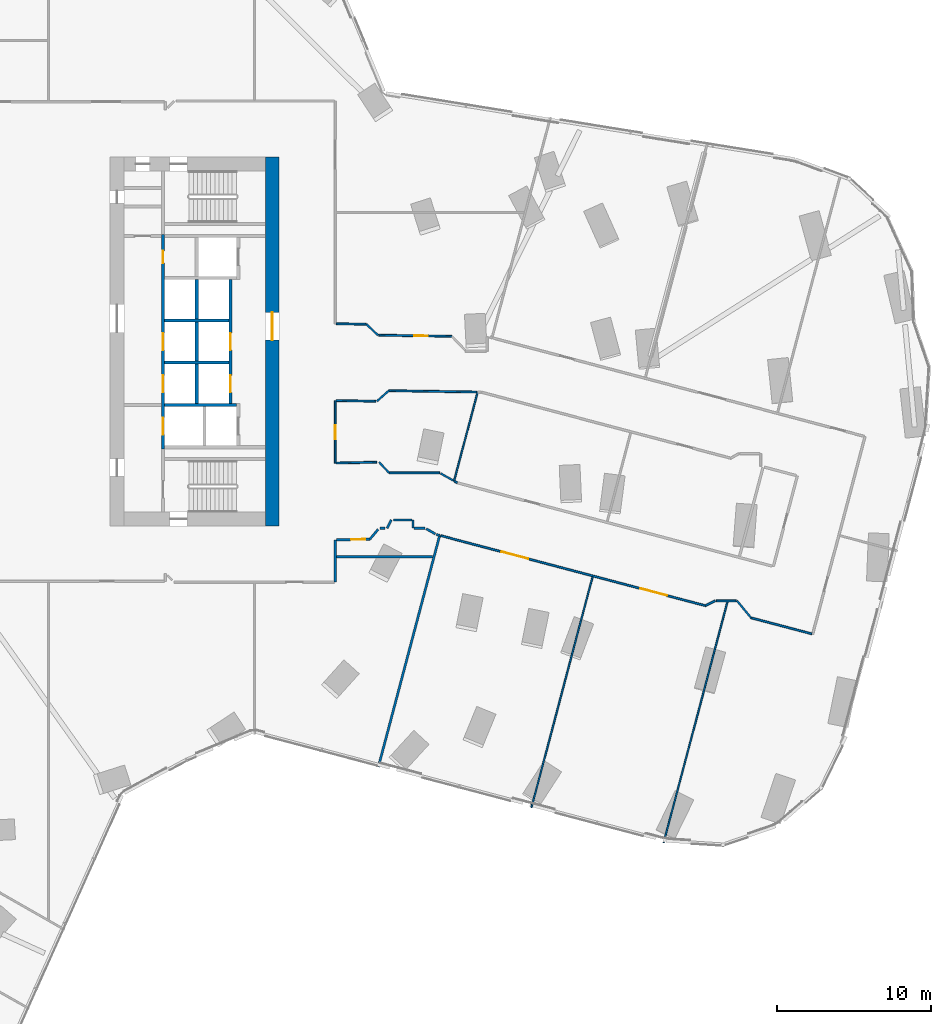
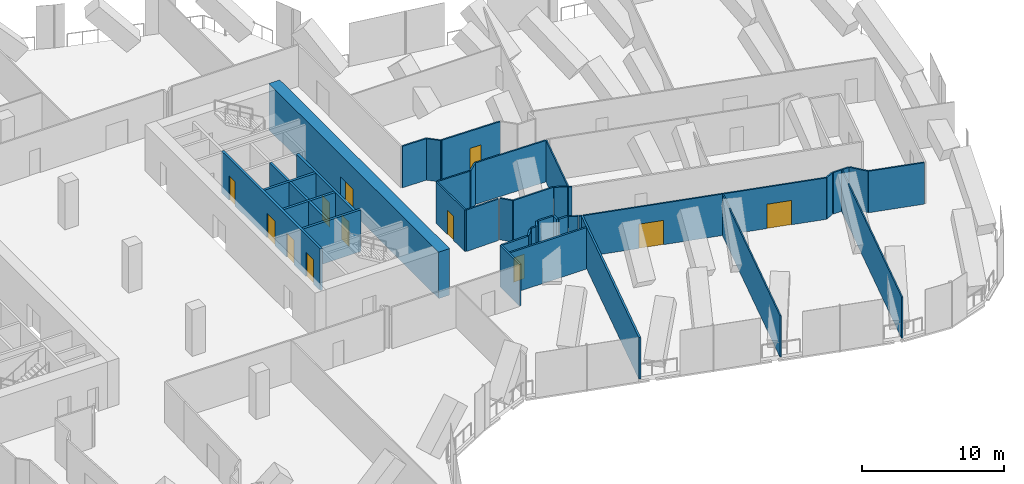
# One storey, part 30 of 37: 41 walls, 12 doors, 12 openings.
"""IFC4 building model written with IfcOpenShell, lengths in metres."""

from ifc_helpers import new_model, si_unit, direction, frame, frame_2d, origin, place, context, subcontext, project, spatial, rectangle, extrude, material, layer, layer_set, type_object, element, fill, save


model = new_model("IFC4")

# Units and contexts
model_context = context("Model", 3, precision=1e-05, world=origin(), true_north=direction((0.0, 1.0)))
body_context = subcontext(model_context, "Body", "Model", "MODEL_VIEW")
ifc_project = project(units=[si_unit("LENGTHUNIT", "METRE"), si_unit("AREAUNIT", "SQUARE_METRE"), si_unit("VOLUMEUNIT", "CUBIC_METRE"), si_unit("PLANEANGLEUNIT", "RADIAN"), si_unit("MASSUNIT", "GRAM", prefix="KILO")], contexts=[model_context])

# Site, building, storey
site_placement = place(None, origin())
site = spatial("IfcSite", under=ifc_project, at=site_placement, CompositionType="ELEMENT")
building_placement = place(site_placement, origin())
building = spatial("IfcBuilding", under=site, at=building_placement, Name="Orlundy Tower", CompositionType="ELEMENT")
storey_placement = place(building_placement, frame((0.0, 0.0, 119.699951171875)))
storey = spatial("IfcBuildingStorey", under=building, at=storey_placement, Name="L30", CompositionType="ELEMENT", Elevation=119.699951171875)

# Wall, opening, door
ifc_material_1 = material(Name="Concrete C80/95", Category="concrete")
ifc_layer_1 = layer(ifc_material_1, 0.89990234375)
ifc_layer_set_1 = layer_set([ifc_layer_1], Name="CORE WALL 900 C80/95")
wall_type_1 = type_object("IfcWallType", Name="CORE WALL 900 C80/95", PredefinedType="SHEAR", material=ifc_layer_set_1)
wall_1_placement = place(storey_placement, frame((18.550048828125, -12.0, 0.0), z_axis=(0.0, 0.0, 1.0), x_axis=(0.0, 1.0, 0.0)))
wall_1 = element("IfcWall", 1, at=wall_1_placement, inside=storey, type_object=wall_type_1, Name="Core wall E-E L30", PredefinedType="SHEAR", context=body_context, shape_type="SweptSolid", body=[
    extrude(rectangle(XDim=24.0, YDim=0.89990234375, at=frame_2d((12.0, 0.0))), origin(), (0.0, 0.0, 1.0), 4.0),
])
opening_1_placement = place(wall_1_placement, frame((12.10009765625, 0.0, 0.0)))
opening_1 = element("IfcOpeningElement", 2, at=opening_1_placement, cuts=wall_1, Name="Opening 23059", PredefinedType="OPENING", context=body_context, shape_type="SweptSolid", body=[
    extrude(rectangle(XDim=1.800048828125, YDim=2.10009765625, at=frame_2d((0.89990234375, 1.050048828125))), frame((0.0, 0.4599609375, 0.0), z_axis=(0.0, -1.0, 0.0), x_axis=(1.0, 0.0, 0.0)), (0.0, 0.0, 1.0), 0.919921875),
])
ifc_material_2 = material(Name="Timber door set", Category="wood")
door_type_1 = type_object("IfcDoorType", Name="Lobby Door 1800x2100", OperationType="DOUBLE_DOOR_DOUBLE_SWING", PredefinedType="DOOR", material=ifc_material_2)
door_1_placement = place(opening_1_placement, origin())
door_1 = element("IfcDoor", 3, at=door_1_placement, inside=storey, type_object=door_type_1, Name="Lift lobby door 23059", OperationType="SINGLE_SWING_RIGHT", OverallHeight=2.10009765625, OverallWidth=1.800048828125, PredefinedType="DOOR", context=body_context, shape_type="SweptSolid", body=[
    extrude(rectangle(XDim=1.800048828125, YDim=2.10009765625, at=frame_2d((0.89990234375, 1.050048828125))), frame((0.0, 0.02490234375, 0.0), z_axis=(0.0, -1.0, 0.0), x_axis=(1.0, 0.0, 0.0)), (0.0, 0.0, 1.0), 0.050048828125),
])
fill(opening_1, door_1)

# Walls
ifc_material_3 = material(Name="Gypsum board partition")
ifc_layer_2 = layer(ifc_material_3, 0.10009765625)
ifc_layer_set_2 = layer_set([ifc_layer_2], Name="Floor partition 100")
wall_type_2 = type_object("IfcWallType", Name="Floor partition 100", PredefinedType="PARTITIONING", material=ifc_layer_set_2)
wall_2_placement = place(storey_placement, frame((44.01904296875, -32.60595703125, 0.0), z_axis=(0.0, 0.0, 1.0), x_axis=(0.256017225192, 0.966672219734, 0.0)))
element("IfcWall", 4, at=wall_2_placement, inside=storey, type_object=wall_type_2, Name="wall-int-L30-097", PredefinedType="PARTITIONING", context=body_context, shape_type="SweptSolid", body=[
    extrude(rectangle(XDim=16.201904296875, YDim=0.10009765625, at=frame_2d((8.10107421875, 0.0))), origin(), (0.0, 0.0, 1.0), 3.580078125),
])
wall_3_placement = place(storey_placement, frame((35.4169921875, -30.327880859375, 0.0), z_axis=(0.0, 0.0, 1.0), x_axis=(0.255966412414, 0.966685675758, 0.0)))
element("IfcWall", 5, at=wall_3_placement, inside=storey, type_object=wall_type_2, Name="wall-int-L30-100", PredefinedType="PARTITIONING", context=body_context, shape_type="SweptSolid", body=[
    extrude(rectangle(XDim=15.537353515625, YDim=0.10009765625, at=frame_2d((7.7685546875, 0.0))), origin(), (0.0, 0.0, 1.0), 3.580078125),
])
wall_4_placement = place(storey_placement, frame((30.383056640625, -9.071044921875, 0.0), z_axis=(0.0, 0.0, 1.0), x_axis=(0.256101072135, 0.966650009492, 0.0)))
element("IfcWall", 6, at=wall_4_placement, inside=storey, type_object=wall_type_2, Name="wall-int-L30-104", PredefinedType="PARTITIONING", context=body_context, shape_type="SweptSolid", body=[
    extrude(rectangle(XDim=5.98583984375, YDim=0.10009765625, at=frame_2d((2.992919921875, 0.0))), origin(), (0.0, 0.0, 1.0), 3.580078125),
])
ifc_material_4 = material(Name="Gypsum board partition, double layer")
ifc_layer_3 = layer(ifc_material_4, 0.125)
ifc_layer_set_3 = layer_set([ifc_layer_3], Name="Floor partition 125")
wall_type_3 = type_object("IfcWallType", Name="Floor partition 125", PredefinedType="PARTITIONING", material=ifc_layer_set_3)
wall_5_placement = place(storey_placement, frame((25.501953125, -7.845947265625, 0.0), z_axis=(0.0, 0.0, 1.0), x_axis=(0.682163541358, -0.731199632687, 0.0)))
element("IfcWall", 7, at=wall_5_placement, inside=storey, type_object=wall_type_3, Name="wall-int-L30-002", PredefinedType="PARTITIONING", context=body_context, shape_type="SweptSolid", body=[
    extrude(rectangle(XDim=0.955810546875, YDim=0.125, at=frame_2d((0.47802734375, 0.0))), origin(), (0.0, 0.0, 1.0), 3.580078125),
])
wall_6_placement = place(storey_placement, frame((30.383056640625, -9.071044921875, 0.0), z_axis=(0.0, 0.0, 1.0), x_axis=(0.871465213873, -0.490457318234, 0.0)))
element("IfcWall", 8, at=wall_6_placement, inside=storey, type_object=wall_type_3, Name="wall-int-L30-022", PredefinedType="PARTITIONING", context=body_context, shape_type="SweptSolid", body=[
    extrude(rectangle(XDim=0.236328125, YDim=0.125, at=frame_2d((0.1181640625, 0.0))), origin(), (0.0, 0.0, 1.0), 3.580078125),
])
wall_7_placement = place(storey_placement, frame((29.501953125, -8.576904296875, 0.0), z_axis=(0.0, 0.0, 1.0), x_axis=(0.872121474772, -0.489289416645, 0.0)))
element("IfcWall", 9, at=wall_7_placement, inside=storey, type_object=wall_type_3, Name="wall-int-L30-024", PredefinedType="PARTITIONING", context=body_context, shape_type="SweptSolid", body=[
    extrude(rectangle(XDim=0.942626953125, YDim=0.125, at=frame_2d((0.47119140625, 0.0))), origin(), (0.0, 0.0, 1.0), 3.580078125),
])
wall_8_placement = place(storey_placement, frame((53.656982421875, -19.02099609375, 0.0), z_axis=(0.0, 0.0, 1.0), x_axis=(-0.966669998508, 0.25602561197, 0.0)))
element("IfcWall", 10, at=wall_8_placement, inside=storey, type_object=wall_type_3, Name="wall-int-L30-026", PredefinedType="PARTITIONING", context=body_context, shape_type="SweptSolid", body=[
    extrude(rectangle(XDim=4.085205078125, YDim=0.125, at=frame_2d((2.04248046875, 0.0))), origin(), (0.0, 0.0, 1.0), 3.580078125),
])

# Wall, openings, doors
wall_9_placement = place(storey_placement, frame((46.73291015625, -17.18701171875, 0.0), z_axis=(0.0, 0.0, 1.0), x_axis=(-0.966684476385, 0.255970941937, 0.0)))
wall_9 = element("IfcWall", 11, at=wall_9_placement, inside=storey, type_object=wall_type_3, Name="wall-int-L30-027", PredefinedType="PARTITIONING", context=body_context, shape_type="SweptSolid", body=[
    extrude(rectangle(XDim=17.80712890625, YDim=0.125, at=frame_2d((8.903564453125, 0.0))), origin(), (0.0, 0.0, 1.0), 3.580078125),
])
opening_2_placement = place(wall_9_placement, frame((11.92529296875, 0.0, 0.0)))
opening_2 = element("IfcOpeningElement", 12, at=opening_2_placement, cuts=wall_9, Name="Opening 23107", PredefinedType="OPENING", context=body_context, shape_type="SweptSolid", body=[
    extrude(rectangle(XDim=1.800048828125, YDim=2.10009765625, at=frame_2d((0.89990234375, 1.050048828125))), frame((0.0, 0.072509765625, 0.0), z_axis=(0.0, -1.0, 0.0), x_axis=(1.0, 0.0, 0.0)), (0.0, 0.0, 1.0), 0.14501953125),
])
opening_3_placement = place(wall_9_placement, frame((2.56591796875, 0.0, 0.0)))
opening_3 = element("IfcOpeningElement", 13, at=opening_3_placement, cuts=wall_9, Name="Opening 23108", PredefinedType="OPENING", context=body_context, shape_type="SweptSolid", body=[
    extrude(rectangle(XDim=1.800048828125, YDim=2.10009765625, at=frame_2d((0.89990234375, 1.050048828125))), frame((0.0, 0.072509765625, 0.0), z_axis=(0.0, -1.0, 0.0), x_axis=(1.0, 0.0, 0.0)), (0.0, 0.0, 1.0), 0.14501953125),
])
ifc_material_5 = material(Name="Timber door leaf", Category="wood")
door_type_2 = type_object("IfcDoorType", Name="Floor door double 1800 FD30S", OperationType="NOTDEFINED", PredefinedType="DOOR", material=ifc_material_5)
door_2_placement = place(opening_2_placement, origin())
door_2 = element("IfcDoor", 14, at=door_2_placement, inside=storey, type_object=door_type_2, Name="Door 23107", OperationType="DOUBLE_DOOR_SINGLE_SWING", OverallHeight=2.10009765625, OverallWidth=1.800048828125, PredefinedType="DOOR", context=body_context, shape_type="SweptSolid", body=[
    extrude(rectangle(XDim=1.800048828125, YDim=2.10009765625, at=frame_2d((0.89990234375, 1.050048828125))), frame((0.0, 0.02490234375, 0.0), z_axis=(0.0, -1.0, 0.0), x_axis=(1.0, 0.0, 0.0)), (0.0, 0.0, 1.0), 0.050048828125),
])
fill(opening_2, door_2)
door_3_placement = place(opening_3_placement, origin())
door_3 = element("IfcDoor", 15, at=door_3_placement, inside=storey, type_object=door_type_2, Name="Door 23108", OperationType="DOUBLE_DOOR_SINGLE_SWING", OverallHeight=2.10009765625, OverallWidth=1.800048828125, PredefinedType="DOOR", context=body_context, shape_type="SweptSolid", body=[
    extrude(rectangle(XDim=1.800048828125, YDim=2.10009765625, at=frame_2d((0.89990234375, 1.050048828125))), frame((0.0, 0.02490234375, 0.0), z_axis=(0.0, -1.0, 0.0), x_axis=(1.0, 0.0, 0.0)), (0.0, 0.0, 1.0), 0.050048828125),
])
fill(opening_3, door_3)

# Walls
wall_10_placement = place(storey_placement, frame((22.7119140625, -3.843017578125, 0.0), z_axis=(0.0, 0.0, 1.0), x_axis=(0.99988026701, -0.015474225138, 0.0)))
element("IfcWall", 16, at=wall_10_placement, inside=storey, type_object=wall_type_3, Name="wall-int-L30-037", PredefinedType="PARTITIONING", context=body_context, shape_type="SweptSolid", body=[
    extrude(rectangle(XDim=2.58740234375, YDim=0.125, at=frame_2d((1.293701171875, 0.0))), origin(), (0.0, 0.0, 1.0), 3.580078125),
])
wall_11_placement = place(storey_placement, frame((26.134033203125, -3.196044921875, 0.0), z_axis=(0.0, 0.0, 1.0), x_axis=(0.999881768757, -0.015376882257, 0.0)))
element("IfcWall", 17, at=wall_11_placement, inside=storey, type_object=wall_type_3, Name="wall-int-L30-038", PredefinedType="PARTITIONING", context=body_context, shape_type="SweptSolid", body=[
    extrude(rectangle(XDim=5.7158203125, YDim=0.125, at=frame_2d((2.85791015625, 0.0))), origin(), (0.0, 0.0, 1.0), 3.580078125),
])

# Wall, opening, door
wall_12_placement = place(storey_placement, frame((25.489990234375, 0.4150390625, 0.0), z_axis=(0.0, 0.0, 1.0), x_axis=(0.999881531584, -0.015392296656, 0.0)))
wall_12 = element("IfcWall", 18, at=wall_12_placement, inside=storey, type_object=wall_type_3, Name="wall-int-L30-039", PredefinedType="PARTITIONING", context=body_context, shape_type="SweptSolid", body=[
    extrude(rectangle(XDim=4.742431640625, YDim=0.125, at=frame_2d((2.37109375, 0.0))), origin(), (0.0, 0.0, 1.0), 3.580078125),
])
opening_4_placement = place(wall_12_placement, frame((2.28759765625, 0.0, 0.0)))
opening_4 = element("IfcOpeningElement", 19, at=opening_4_placement, cuts=wall_12, Name="Opening 23127", PredefinedType="OPENING", context=body_context, shape_type="SweptSolid", body=[
    extrude(rectangle(XDim=0.89990234375, YDim=2.10009765625, at=frame_2d((0.449951171875, 1.050048828125))), frame((0.0, 0.072509765625, 0.0), z_axis=(0.0, -1.0, 0.0), x_axis=(1.0, 0.0, 0.0)), (0.0, 0.0, 1.0), 0.14501953125),
])
ifc_material_6 = material(Name="Timber door leaf", Category="wood")
door_type_3 = type_object("IfcDoorType", Name="Floor door single 900 FD30S", OperationType="NOTDEFINED", PredefinedType="DOOR", material=ifc_material_6)
door_4_placement = place(opening_4_placement, origin())
door_4 = element("IfcDoor", 20, at=door_4_placement, inside=storey, type_object=door_type_3, Name="Door 23127", OperationType="SINGLE_SWING_RIGHT", OverallHeight=2.10009765625, OverallWidth=0.89990234375, PredefinedType="DOOR", context=body_context, shape_type="SweptSolid", body=[
    extrude(rectangle(XDim=0.89990234375, YDim=2.10009765625, at=frame_2d((0.449951171875, 1.050048828125))), frame((0.0, 0.02490234375, 0.0), z_axis=(0.0, -1.0, 0.0), x_axis=(1.0, 0.0, 0.0)), (0.0, 0.0, 1.0), 0.050048828125),
])
fill(opening_4, door_4)

# Walls
wall_13_placement = place(storey_placement, frame((22.7119140625, 1.157958984375, 0.0), z_axis=(0.0, 0.0, 1.0), x_axis=(0.999883143735, -0.015287212763, 0.0)))
element("IfcWall", 21, at=wall_13_placement, inside=storey, type_object=wall_type_3, Name="wall-int-L30-040", PredefinedType="PARTITIONING", context=body_context, shape_type="SweptSolid", body=[
    extrude(rectangle(XDim=1.96435546875, YDim=0.125, at=frame_2d((0.982177734375, 0.0))), origin(), (0.0, 0.0, 1.0), 3.580078125),
])
wall_14_placement = place(storey_placement, frame((47.4560546875, -16.868896484375, 0.0), z_axis=(0.0, 0.0, 1.0), x_axis=(1.0, 0.0, 0.0)))
element("IfcWall", 22, at=wall_14_placement, inside=storey, type_object=wall_type_3, Name="wall-int-L30-051", PredefinedType="PARTITIONING", context=body_context, shape_type="SweptSolid", body=[
    extrude(rectangle(XDim=1.27392578125, YDim=0.125, at=frame_2d((0.636962890625, 0.0))), origin(), (0.0, 0.0, 1.0), 3.580078125),
])
wall_15_placement = place(storey_placement, frame((26.154052734375, -8.544921875, 0.0), z_axis=(0.0, 0.0, 1.0), x_axis=(1.0, 0.0, 0.0)))
element("IfcWall", 23, at=wall_15_placement, inside=storey, type_object=wall_type_3, Name="wall-int-L30-061", PredefinedType="PARTITIONING", context=body_context, shape_type="SweptSolid", body=[
    extrude(rectangle(XDim=3.29296875, YDim=0.125, at=frame_2d((1.646484375, 0.0))), origin(), (0.0, 0.0, 1.0), 3.580078125),
])
wall_16_placement = place(storey_placement, frame((22.7119140625, -7.904052734375, 0.0), z_axis=(0.0, 0.0, 1.0), x_axis=(0.999782614275, 0.020850040617, 0.0)))
element("IfcWall", 24, at=wall_16_placement, inside=storey, type_object=wall_type_3, Name="wall-int-L30-072", PredefinedType="PARTITIONING", context=body_context, shape_type="SweptSolid", body=[
    extrude(rectangle(XDim=2.634521484375, YDim=0.125, at=frame_2d((1.3173828125, 0.0))), origin(), (0.0, 0.0, 1.0), 3.580078125),
])
wall_17_placement = place(storey_placement, frame((46.73291015625, -17.18701171875, 0.0), z_axis=(0.0, 0.0, 1.0), x_axis=(0.895787517552, 0.444482534413, 0.0)))
element("IfcWall", 25, at=wall_17_placement, inside=storey, type_object=wall_type_3, Name="wall-int-L30-094", PredefinedType="PARTITIONING", context=body_context, shape_type="SweptSolid", body=[
    extrude(rectangle(XDim=0.715576171875, YDim=0.125, at=frame_2d((0.35791015625, 0.0))), origin(), (0.0, 0.0, 1.0), 3.580078125),
])
wall_18_placement = place(storey_placement, frame((25.361083984375, -3.884033203125, 0.0), z_axis=(0.0, 0.0, 1.0), x_axis=(0.746966573477, 0.664861593196, 0.0)))
element("IfcWall", 26, at=wall_18_placement, inside=storey, type_object=wall_type_3, Name="wall-int-L30-109", PredefinedType="PARTITIONING", context=body_context, shape_type="SweptSolid", body=[
    extrude(rectangle(XDim=1.03466796875, YDim=0.125, at=frame_2d((0.517333984375, 0.0))), origin(), (0.0, 0.0, 1.0), 3.580078125),
])
wall_19_placement = place(storey_placement, frame((25.427978515625, 0.416015625, 0.0), z_axis=(0.0, 0.0, 1.0), x_axis=(-0.726175681963, 0.687509184612, 0.0)))
element("IfcWall", 27, at=wall_19_placement, inside=storey, type_object=wall_type_3, Name="wall-int-L30-110", PredefinedType="PARTITIONING", context=body_context, shape_type="SweptSolid", body=[
    extrude(rectangle(XDim=1.035400390625, YDim=0.125, at=frame_2d((0.517578125, 0.0))), origin(), (0.0, 0.0, 1.0), 3.580078125),
])
wall_20_placement = place(storey_placement, frame((49.7080078125, -17.97509765625, 0.0), z_axis=(0.0, 0.0, 1.0), x_axis=(-0.637386714636, 0.770544077912, 0.0)))
element("IfcWall", 28, at=wall_20_placement, inside=storey, type_object=wall_type_3, Name="wall-int-L30-113", PredefinedType="PARTITIONING", context=body_context, shape_type="SweptSolid", body=[
    extrude(rectangle(XDim=1.435546875, YDim=0.125, at=frame_2d((0.7177734375, 0.0))), origin(), (0.0, 0.0, 1.0), 3.580078125),
])

# Wall, opening, door
wall_21_placement = place(storey_placement, frame((22.64990234375, -3.842041015625, 0.0), z_axis=(0.0, 0.0, 1.0), x_axis=(0.0, -1.0, 0.0)))
wall_21 = element("IfcWall", 29, at=wall_21_placement, inside=storey, type_object=wall_type_3, Name="wall-int-L30-117", PredefinedType="PARTITIONING", context=body_context, shape_type="SweptSolid", body=[
    extrude(rectangle(XDim=4.06298828125, YDim=0.125, at=frame_2d((2.031494140625, 0.0))), origin(), (0.0, 0.0, 1.0), 3.580078125),
])
opening_5_placement = place(wall_21_placement, frame((1.60009765625, 0.0, 0.0)))
opening_5 = element("IfcOpeningElement", 30, at=opening_5_placement, cuts=wall_21, Name="Opening 23126", PredefinedType="OPENING", context=body_context, shape_type="SweptSolid", body=[
    extrude(rectangle(XDim=0.89990234375, YDim=2.10009765625, at=frame_2d((0.449951171875, 1.050048828125))), frame((0.0, 0.072509765625, 0.0), z_axis=(0.0, -1.0, 0.0), x_axis=(1.0, 0.0, 0.0)), (0.0, 0.0, 1.0), 0.14501953125),
])
door_5_placement = place(opening_5_placement, origin())
door_5 = element("IfcDoor", 31, at=door_5_placement, inside=storey, type_object=door_type_3, Name="Door 23126", OperationType="SINGLE_SWING_RIGHT", OverallHeight=2.10009765625, OverallWidth=0.89990234375, PredefinedType="DOOR", context=body_context, shape_type="SweptSolid", body=[
    extrude(rectangle(XDim=0.89990234375, YDim=2.10009765625, at=frame_2d((0.449951171875, 1.050048828125))), frame((0.0, 0.02490234375, 0.0), z_axis=(0.0, -1.0, 0.0), x_axis=(1.0, 0.0, 0.0)), (0.0, 0.0, 1.0), 0.050048828125),
])
fill(opening_5, door_5)

# Walls
ifc_material_7 = material(Name="Blockwork shaft wall", Category="masonry")
ifc_layer_4 = layer(ifc_material_7, 0.14990234375)
ifc_layer_set_4 = layer_set([ifc_layer_4], Name="Floor shaft wall 150")
wall_type_4 = type_object("IfcWallType", Name="Floor shaft wall 150", PredefinedType="PARTITIONING", material=ifc_layer_set_4)
wall_22_placement = place(storey_placement, frame((25.43896484375, -12.22412109375, 0.0), z_axis=(0.0, 0.0, 1.0), x_axis=(-0.645047626859, -0.764142368334, 0.0)))
element("IfcWall", 32, at=wall_22_placement, inside=storey, type_object=wall_type_4, Name="wall-int-L30-001", PredefinedType="PARTITIONING", context=body_context, shape_type="SweptSolid", body=[
    extrude(rectangle(XDim=0.832275390625, YDim=0.14990234375, at=frame_2d((0.416015625, 0.0))), origin(), (0.0, 0.0, 1.0), 3.580078125),
])
wall_23_placement = place(storey_placement, frame((28.570068359375, -12.18408203125, 0.0), z_axis=(0.0, 0.0, 1.0), x_axis=(0.872807707382, -0.488064243656, 0.0)))
element("IfcWall", 33, at=wall_23_placement, inside=storey, type_object=wall_type_4, Name="wall-int-L30-023", PredefinedType="PARTITIONING", context=body_context, shape_type="SweptSolid", body=[
    extrude(rectangle(XDim=0.67578125, YDim=0.14990234375, at=frame_2d((0.337890625, 0.0))), origin(), (0.0, 0.0, 1.0), 3.580078125),
])
wall_24_placement = place(storey_placement, frame((29.22509765625, -12.551025390625, 0.0), z_axis=(0.0, 0.0, 1.0), x_axis=(0.966057538247, -0.258326988128, 0.0)))
element("IfcWall", 34, at=wall_24_placement, inside=storey, type_object=wall_type_4, Name="wall-int-L30-025", PredefinedType="PARTITIONING", context=body_context, shape_type="SweptSolid", body=[
    extrude(rectangle(XDim=0.228759765625, YDim=0.14990234375, at=frame_2d((0.1142578125, 0.0))), origin(), (0.0, 0.0, 1.0), 3.580078125),
])
wall_25_placement = place(storey_placement, frame((22.72509765625, -14.0, 0.0), z_axis=(0.0, 0.0, 1.0), x_axis=(1.0, 0.0, 0.0)))
element("IfcWall", 35, at=wall_25_placement, inside=storey, type_object=wall_type_4, Name="wall-int-L30-057", PredefinedType="PARTITIONING", context=body_context, shape_type="SweptSolid", body=[
    extrude(rectangle(XDim=6.255859375, YDim=0.14990234375, at=frame_2d((3.1279296875, 0.0))), origin(), (0.0, 0.0, 1.0), 3.580078125),
])
wall_26_placement = place(storey_placement, frame((25.553955078125, -12.14697265625, 0.0), z_axis=(0.0, 0.0, 1.0), x_axis=(1.0, 0.0, 0.0)))
element("IfcWall", 36, at=wall_26_placement, inside=storey, type_object=wall_type_4, Name="wall-int-L30-058", PredefinedType="PARTITIONING", context=body_context, shape_type="SweptSolid", body=[
    extrude(rectangle(XDim=0.344970703125, YDim=0.14990234375, at=frame_2d((0.17236328125, 0.0))), origin(), (0.0, 0.0, 1.0), 3.580078125),
])
wall_27_placement = place(storey_placement, frame((27.791015625, -12.14697265625, 0.0), z_axis=(0.0, 0.0, 1.0), x_axis=(1.0, 0.0, 0.0)))
element("IfcWall", 37, at=wall_27_placement, inside=storey, type_object=wall_type_4, Name="wall-int-L30-059", PredefinedType="PARTITIONING", context=body_context, shape_type="SweptSolid", body=[
    extrude(rectangle(XDim=0.7138671875, YDim=0.14990234375, at=frame_2d((0.35693359375, 0.0))), origin(), (0.0, 0.0, 1.0), 3.580078125),
])
wall_28_placement = place(storey_placement, frame((26.425048828125, -11.60595703125, 0.0), z_axis=(0.0, 0.0, 1.0), x_axis=(1.0, 0.0, 0.0)))
element("IfcWall", 38, at=wall_28_placement, inside=storey, type_object=wall_type_4, Name="wall-int-L30-060", PredefinedType="PARTITIONING", context=body_context, shape_type="SweptSolid", body=[
    extrude(rectangle(XDim=1.216064453125, YDim=0.14990234375, at=frame_2d((0.60791015625, 0.0))), origin(), (0.0, 0.0, 1.0), 3.580078125),
])

# Wall, opening, door
wall_29_placement = place(storey_placement, frame((24.902099609375, -12.860107421875, 0.0), z_axis=(0.0, 0.0, 1.0), x_axis=(-0.999787171662, -0.020630350968, 0.0)))
wall_29 = element("IfcWall", 39, at=wall_29_placement, inside=storey, type_object=wall_type_4, Name="wall-int-L30-071", PredefinedType="PARTITIONING", context=body_context, shape_type="SweptSolid", body=[
    extrude(rectangle(XDim=2.177490234375, YDim=0.14990234375, at=frame_2d((1.0888671875, 0.0))), origin(), (0.0, 0.0, 1.0), 3.580078125),
])
opening_6_placement = place(wall_29_placement, frame((0.30078125, 0.0, 0.0)))
opening_6 = element("IfcOpeningElement", 40, at=opening_6_placement, cuts=wall_29, Name="Opening 23119", PredefinedType="OPENING", context=body_context, shape_type="SweptSolid", body=[
    extrude(rectangle(XDim=0.89990234375, YDim=2.10009765625, at=frame_2d((0.449951171875, 1.050048828125))), frame((0.0, 0.0849609375, 0.0), z_axis=(0.0, -1.0, 0.0), x_axis=(1.0, 0.0, 0.0)), (0.0, 0.0, 1.0), 0.169921875),
])
ifc_material_8 = material(Name="Timber door leaf", Category="wood")
door_type_4 = type_object("IfcDoorType", Name="Floor door single 900 FD60", OperationType="NOTDEFINED", PredefinedType="DOOR", material=ifc_material_8)
door_6_placement = place(opening_6_placement, origin())
door_6 = element("IfcDoor", 41, at=door_6_placement, inside=storey, type_object=door_type_4, Name="Door 23119", OperationType="SINGLE_SWING_LEFT", OverallHeight=2.10009765625, OverallWidth=0.89990234375, PredefinedType="DOOR", context=body_context, shape_type="SweptSolid", body=[
    extrude(rectangle(XDim=0.89990234375, YDim=2.10009765625, at=frame_2d((0.449951171875, 1.050048828125))), frame((0.0, 0.02490234375, 0.0), z_axis=(0.0, -1.0, 0.0), x_axis=(1.0, 0.0, 0.0)), (0.0, 0.0, 1.0), 0.050048828125),
])
fill(opening_6, door_6)

# Walls
wall_30_placement = place(storey_placement, frame((26.02294921875, -12.14599609375, 0.0), z_axis=(0.0, 0.0, 1.0), x_axis=(0.459062318859, 0.888404067643, 0.0)))
element("IfcWall", 42, at=wall_30_placement, inside=storey, type_object=wall_type_4, Name="wall-int-L30-093", PredefinedType="PARTITIONING", context=body_context, shape_type="SweptSolid", body=[
    extrude(rectangle(XDim=0.60791015625, YDim=0.14990234375, at=frame_2d((0.303955078125, 0.0))), origin(), (0.0, 0.0, 1.0), 3.580078125),
])
wall_31_placement = place(storey_placement, frame((25.452880859375, -27.68896484375, 0.0), z_axis=(0.0, 0.0, 1.0), x_axis=(0.256041000642, 0.966665922638, 0.0)))
element("IfcWall", 43, at=wall_31_placement, inside=storey, type_object=wall_type_4, Name="wall-int-L30-103", PredefinedType="PARTITIONING", context=body_context, shape_type="SweptSolid", body=[
    extrude(rectangle(XDim=15.595703125, YDim=0.14990234375, at=frame_2d((7.7978515625, 0.0))), origin(), (0.0, 0.0, 1.0), 3.580078125),
])
wall_32_placement = place(storey_placement, frame((27.716064453125, -12.14697265625, 0.0), z_axis=(0.0, 0.0, 1.0), x_axis=(0.0, 1.0, 0.0)))
element("IfcWall", 44, at=wall_32_placement, inside=storey, type_object=wall_type_4, Name="wall-int-L30-115", PredefinedType="PARTITIONING", context=body_context, shape_type="SweptSolid", body=[
    extrude(rectangle(XDim=0.541015625, YDim=0.14990234375, at=frame_2d((0.2705078125, 0.0))), origin(), (0.0, 0.0, 1.0), 3.580078125),
])
wall_33_placement = place(storey_placement, frame((22.64990234375, -15.65087890625, 0.0), z_axis=(0.0, 0.0, 1.0), x_axis=(0.0, 1.0, 0.0)))
element("IfcWall", 45, at=wall_33_placement, inside=storey, type_object=wall_type_4, Name="wall-int-L30-116", PredefinedType="PARTITIONING", context=body_context, shape_type="SweptSolid", body=[
    extrude(rectangle(XDim=2.743896484375, YDim=0.14990234375, at=frame_2d((1.3720703125, 0.0))), origin(), (0.0, 0.0, 1.0), 3.580078125),
])
ifc_material_9 = material(Name="Fire-rated blockwork shaft wall", Category="masonry")
ifc_layer_5 = layer(ifc_material_9, 0.199951171875)
ifc_layer_set_5 = layer_set([ifc_layer_5], Name="Shaft Wall 200")
wall_type_5 = type_object("IfcWallType", Name="Shaft Wall 200", PredefinedType="SOLIDWALL", material=ifc_layer_set_5)
for number, where, z_axis, x_axis, name in (
    (46, (11.5400390625, 1.375, 0.0), (0.0, 0.0, 1.0), (1.0, 0.0, 0.0), "Shaft wall E23-cross-1.375"),
    (47, (11.5400390625, -1.375, 0.0), (0.0, 0.0, 1.0), (1.0, 0.0, 0.0), "Shaft wall E23-cross+1.375"),
):
    element("IfcWall", number, at=place(storey_placement, frame(where, z_axis=z_axis, x_axis=x_axis)), inside=storey, type_object=wall_type_5, Name=name, PredefinedType="SOLIDWALL", context=body_context, shape_type="SweptSolid", body=[
        extrude(rectangle(XDim=4.199951171875, YDim=0.199951171875, at=frame_2d((2.10009765625, 0.0))), origin(), (0.0, 0.0, 1.0), 3.590087890625),
    ])
wall_34_placement = place(storey_placement, frame((11.5400390625, -4.125, 0.0), z_axis=(0.0, 0.0, 1.0), x_axis=(1.0, 0.0, 0.0)))
element("IfcWall", 48, at=wall_34_placement, inside=storey, type_object=wall_type_5, Name="Shaft wall E23-cross+4.125", PredefinedType="SOLIDWALL", context=body_context, shape_type="SweptSolid", body=[
    extrude(rectangle(XDim=4.699951171875, YDim=0.199951171875, at=frame_2d((2.35009765625, 0.0))), origin(), (0.0, 0.0, 1.0), 3.590087890625),
])

# Wall, openings, doors
wall_35_placement = place(storey_placement, frame((11.43994140625, 6.97509765625, 0.0), z_axis=(0.0, 0.0, 1.0), x_axis=(0.0, -1.0, 0.0)))
wall_35 = element("IfcWall", 49, at=wall_35_placement, inside=storey, type_object=wall_type_5, Name="Shaft wall E23-front-h", PredefinedType="SOLIDWALL", context=body_context, shape_type="SweptSolid", body=[
    extrude(rectangle(XDim=13.9501953125, YDim=0.199951171875, at=frame_2d((6.97509765625, 0.0))), origin(), (0.0, 0.0, 1.0), 3.590087890625),
])
opening_7_placement = place(wall_35_placement, frame((6.425048828125, 0.0, 0.0)))
opening_7 = element("IfcOpeningElement", 50, at=opening_7_placement, cuts=wall_35, Name="Opening 23051", PredefinedType="OPENING", context=body_context, shape_type="SweptSolid", body=[
    extrude(rectangle(XDim=1.10009765625, YDim=2.10009765625, at=frame_2d((0.550048828125, 1.050048828125))), frame((0.0, 0.110107421875, 0.0), z_axis=(0.0, -1.0, 0.0), x_axis=(1.0, 0.0, 0.0)), (0.0, 0.0, 1.0), 0.22021484375),
])
opening_8_placement = place(wall_35_placement, frame((9.175048828125, 0.0, 0.0)))
opening_8 = element("IfcOpeningElement", 51, at=opening_8_placement, cuts=wall_35, Name="Opening 23053", PredefinedType="OPENING", context=body_context, shape_type="SweptSolid", body=[
    extrude(rectangle(XDim=1.10009765625, YDim=2.10009765625, at=frame_2d((0.550048828125, 1.050048828125))), frame((0.0, 0.110107421875, 0.0), z_axis=(0.0, -1.0, 0.0), x_axis=(1.0, 0.0, 0.0)), (0.0, 0.0, 1.0), 0.22021484375),
])
opening_9_placement = place(wall_35_placement, frame((11.925048828125, 0.0, 0.0)))
opening_9 = element("IfcOpeningElement", 52, at=opening_9_placement, cuts=wall_35, Name="Opening 23055", PredefinedType="OPENING", context=body_context, shape_type="SweptSolid", body=[
    extrude(rectangle(XDim=1.10009765625, YDim=2.10009765625, at=frame_2d((0.550048828125, 1.050048828125))), frame((0.0, 0.110107421875, 0.0), z_axis=(0.0, -1.0, 0.0), x_axis=(1.0, 0.0, 0.0)), (0.0, 0.0, 1.0), 0.22021484375),
])
opening_10_placement = place(wall_35_placement, frame((1.074951171875, 0.0, 0.0)))
opening_10 = element("IfcOpeningElement", 53, at=opening_10_placement, cuts=wall_35, Name="Opening 23057", PredefinedType="OPENING", context=body_context, shape_type="SweptSolid", body=[
    extrude(rectangle(XDim=0.800048828125, YDim=2.10009765625, at=frame_2d((0.39990234375, 1.050048828125))), frame((0.0, 0.110107421875, 0.0), z_axis=(0.0, -1.0, 0.0), x_axis=(1.0, 0.0, 0.0)), (0.0, 0.0, 1.0), 0.22021484375),
])
ifc_material_10 = material(Name="Steel door set", Category="steel")
door_type_5 = type_object("IfcDoorType", Name="Landing Door 1100x2100", OperationType="DOUBLE_DOOR_SLIDING", PredefinedType="DOOR", material=ifc_material_10)
door_7_placement = place(opening_7_placement, origin())
door_7 = element("IfcDoor", 54, at=door_7_placement, inside=storey, type_object=door_type_5, Name="Lift landing door LP-10 23051", OperationType="DOUBLE_DOOR_SLIDING", OverallHeight=2.10009765625, OverallWidth=1.10009765625, PredefinedType="DOOR", context=body_context, shape_type="SweptSolid", body=[
    extrude(rectangle(XDim=1.10009765625, YDim=2.10009765625, at=frame_2d((0.550048828125, 1.050048828125))), frame((0.0, 0.02490234375, 0.0), z_axis=(0.0, -1.0, 0.0), x_axis=(1.0, 0.0, 0.0)), (0.0, 0.0, 1.0), 0.050048828125),
])
fill(opening_7, door_7)
door_8_placement = place(opening_8_placement, origin())
door_8 = element("IfcDoor", 55, at=door_8_placement, inside=storey, type_object=door_type_5, Name="Lift landing door LP-07 23053", OperationType="DOUBLE_DOOR_SLIDING", OverallHeight=2.10009765625, OverallWidth=1.10009765625, PredefinedType="DOOR", context=body_context, shape_type="SweptSolid", body=[
    extrude(rectangle(XDim=1.10009765625, YDim=2.10009765625, at=frame_2d((0.550048828125, 1.050048828125))), frame((0.0, 0.02490234375, 0.0), z_axis=(0.0, -1.0, 0.0), x_axis=(1.0, 0.0, 0.0)), (0.0, 0.0, 1.0), 0.050048828125),
])
fill(opening_8, door_8)
door_9_placement = place(opening_9_placement, origin())
door_9 = element("IfcDoor", 56, at=door_9_placement, inside=storey, type_object=door_type_5, Name="Lift landing door FL2 23055", OperationType="DOUBLE_DOOR_SLIDING", OverallHeight=2.10009765625, OverallWidth=1.10009765625, PredefinedType="DOOR", context=body_context, shape_type="SweptSolid", body=[
    extrude(rectangle(XDim=1.10009765625, YDim=2.10009765625, at=frame_2d((0.550048828125, 1.050048828125))), frame((0.0, 0.02490234375, 0.0), z_axis=(0.0, -1.0, 0.0), x_axis=(1.0, 0.0, 0.0)), (0.0, 0.0, 1.0), 0.050048828125),
])
fill(opening_9, door_9)
ifc_material_11 = material(Name="Timber door set", Category="wood")
door_type_6 = type_object("IfcDoorType", Name="Riser Door 800x2100", OperationType="SINGLE_SWING_LEFT", PredefinedType="DOOR", material=ifc_material_11)
door_10_placement = place(opening_10_placement, origin())
door_10 = element("IfcDoor", 57, at=door_10_placement, inside=storey, type_object=door_type_6, Name="Telecom Room door 23057", OperationType="SINGLE_SWING_LEFT", OverallHeight=2.10009765625, OverallWidth=0.800048828125, PredefinedType="DOOR", context=body_context, shape_type="SweptSolid", body=[
    extrude(rectangle(XDim=0.800048828125, YDim=2.10009765625, at=frame_2d((0.39990234375, 1.050048828125))), frame((0.0, 0.02490234375, 0.0), z_axis=(0.0, -1.0, 0.0), x_axis=(1.0, 0.0, 0.0)), (0.0, 0.0, 1.0), 0.050048828125),
])
fill(opening_10, door_10)

# Walls
for number, where, z_axis, x_axis, name in (
    (58, (13.639892578125, 4.02490234375, 0.0), (0.0, 0.0, 1.0), (0.0, -1.0, 0.0), "Shaft wall E23-mid-a.1"),
    (59, (13.639892578125, 1.27490234375, 0.0), (0.0, 0.0, 1.0), (0.0, -1.0, 0.0), "Shaft wall E23-mid-a.2"),
    (60, (13.639892578125, -1.47509765625, 0.0), (0.0, 0.0, 1.0), (0.0, -1.0, 0.0), "Shaft wall E23-mid-a.3"),
):
    element("IfcWall", number, at=place(storey_placement, frame(where, z_axis=z_axis, x_axis=x_axis)), inside=storey, type_object=wall_type_5, Name=name, PredefinedType="SOLIDWALL", context=body_context, shape_type="SweptSolid", body=[
        extrude(rectangle(XDim=2.5498046875, YDim=0.199951171875, at=frame_2d((1.27490234375, 0.0))), origin(), (0.0, 0.0, 1.0), 3.590087890625),
    ])

# Wall, openings, doors
wall_36_placement = place(storey_placement, frame((15.840087890625, 4.02490234375, 0.0), z_axis=(0.0, 0.0, 1.0), x_axis=(0.0, -1.0, 0.0)))
wall_36 = element("IfcWall", 61, at=wall_36_placement, inside=storey, type_object=wall_type_5, Name="Shaft wall E23-front-o-b", PredefinedType="SOLIDWALL", context=body_context, shape_type="SweptSolid", body=[
    extrude(rectangle(XDim=8.0498046875, YDim=0.199951171875, at=frame_2d((4.02490234375, 0.0))), origin(), (0.0, 0.0, 1.0), 3.590087890625),
])
opening_11_placement = place(wall_36_placement, frame((3.47509765625, 0.0, 0.0)))
opening_11 = element("IfcOpeningElement", 62, at=opening_11_placement, cuts=wall_36, Name="Opening 23052", PredefinedType="OPENING", context=body_context, shape_type="SweptSolid", body=[
    extrude(rectangle(XDim=1.10009765625, YDim=2.10009765625, at=frame_2d((0.550048828125, 1.050048828125))), frame((0.0, 0.110107421875, 0.0), z_axis=(0.0, -1.0, 0.0), x_axis=(1.0, 0.0, 0.0)), (0.0, 0.0, 1.0), 0.22021484375),
])
opening_12_placement = place(wall_36_placement, frame((6.22509765625, 0.0, 0.0)))
opening_12 = element("IfcOpeningElement", 63, at=opening_12_placement, cuts=wall_36, Name="Opening 23054", PredefinedType="OPENING", context=body_context, shape_type="SweptSolid", body=[
    extrude(rectangle(XDim=1.10009765625, YDim=2.10009765625, at=frame_2d((0.550048828125, 1.050048828125))), frame((0.0, 0.110107421875, 0.0), z_axis=(0.0, -1.0, 0.0), x_axis=(1.0, 0.0, 0.0)), (0.0, 0.0, 1.0), 0.22021484375),
])
door_11_placement = place(opening_11_placement, origin())
door_11 = element("IfcDoor", 64, at=door_11_placement, inside=storey, type_object=door_type_5, Name="Lift landing door LP-06 23052", OperationType="DOUBLE_DOOR_SLIDING", OverallHeight=2.10009765625, OverallWidth=1.10009765625, PredefinedType="DOOR", context=body_context, shape_type="SweptSolid", body=[
    extrude(rectangle(XDim=1.10009765625, YDim=2.10009765625, at=frame_2d((0.550048828125, 1.050048828125))), frame((0.0, 0.02490234375, 0.0), z_axis=(0.0, -1.0, 0.0), x_axis=(1.0, 0.0, 0.0)), (0.0, 0.0, 1.0), 0.050048828125),
])
fill(opening_11, door_11)
door_12_placement = place(opening_12_placement, origin())
door_12 = element("IfcDoor", 65, at=door_12_placement, inside=storey, type_object=door_type_5, Name="Lift landing door LP-08 23054", OperationType="DOUBLE_DOOR_SLIDING", OverallHeight=2.10009765625, OverallWidth=1.10009765625, PredefinedType="DOOR", context=body_context, shape_type="SweptSolid", body=[
    extrude(rectangle(XDim=1.10009765625, YDim=2.10009765625, at=frame_2d((0.550048828125, 1.050048828125))), frame((0.0, 0.02490234375, 0.0), z_axis=(0.0, -1.0, 0.0), x_axis=(1.0, 0.0, 0.0)), (0.0, 0.0, 1.0), 0.050048828125),
])
fill(opening_12, door_12)

save(model, "model.ifc")
